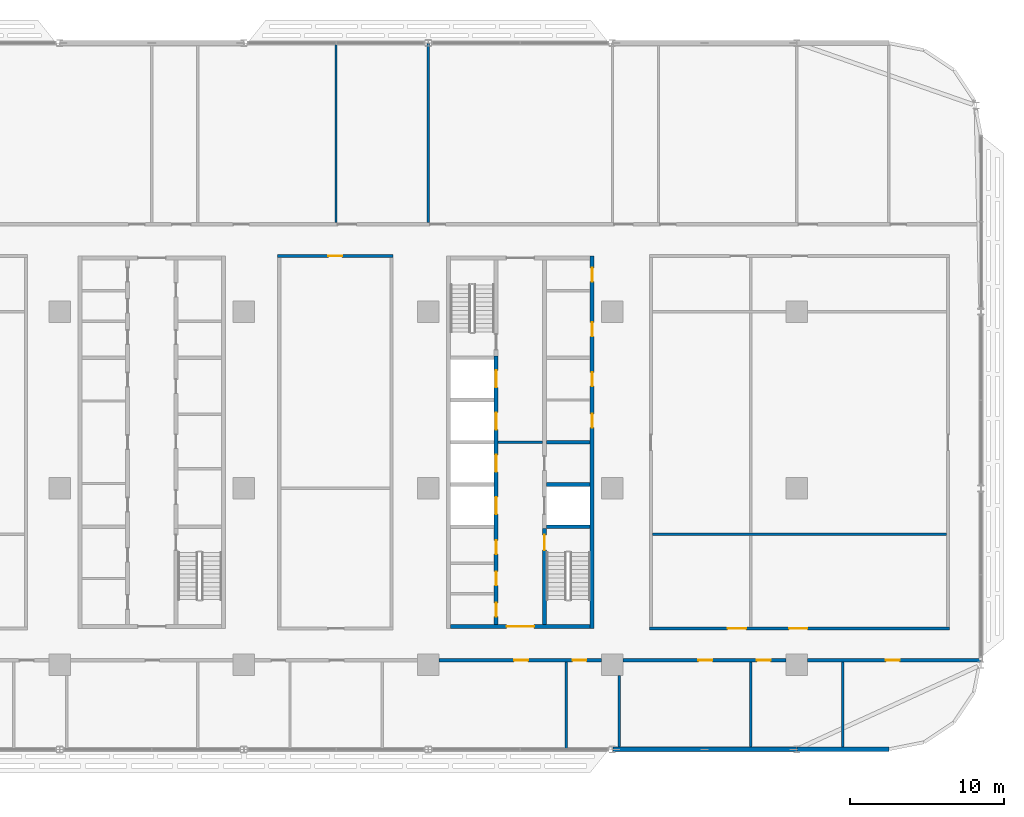
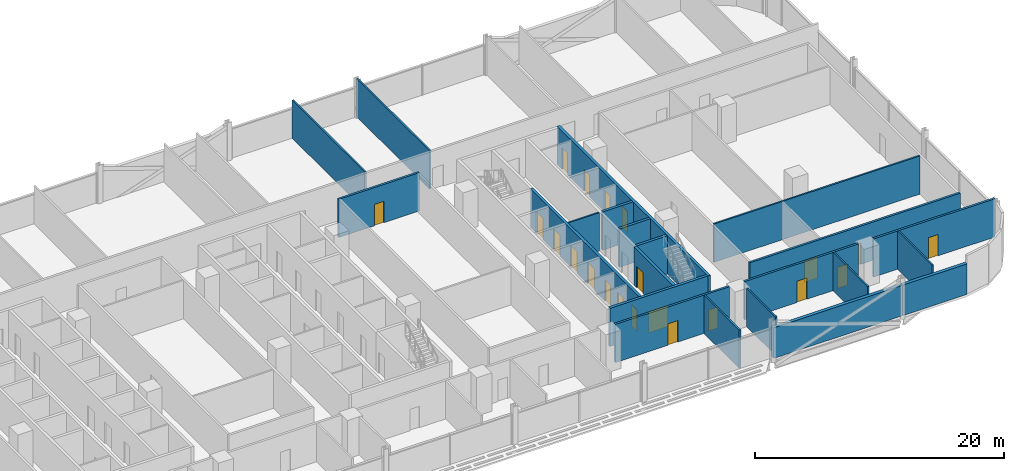
# One storey, part 16 of 29: 22 walls, 21 doors, 21 openings.
"""IFC4 building model written with IfcOpenShell, lengths in metres."""

from ifc_helpers import new_model, si_unit, direction, frame, frame_2d, origin, place, context, subcontext, project, spatial, rectangle, extrude, material, layer, layer_set, type_object, element, fill, save


model = new_model("IFC4")

# Units and contexts
model_context = context("Model", 3, precision=1e-05, world=origin(), true_north=direction((0.0, 1.0)))
body_context = subcontext(model_context, "Body", "Model", "MODEL_VIEW")
ifc_project = project(units=[si_unit("LENGTHUNIT", "METRE"), si_unit("AREAUNIT", "SQUARE_METRE"), si_unit("VOLUMEUNIT", "CUBIC_METRE"), si_unit("PLANEANGLEUNIT", "RADIAN"), si_unit("MASSUNIT", "GRAM", prefix="KILO")], contexts=[model_context])

# Site, building, storey
site_placement = place(None, origin())
site = spatial("IfcSite", under=ifc_project, at=site_placement, CompositionType="ELEMENT")
building_placement = place(site_placement, origin())
building = spatial("IfcBuilding", under=site, at=building_placement, Name="Mahtab Terrace Research Tower", CompositionType="ELEMENT")
storey_placement = place(building_placement, frame((0.0, 0.0, 88.89990234375)))
storey = spatial("IfcBuildingStorey", under=building, at=storey_placement, Name="L20", CompositionType="ELEMENT", Elevation=88.89990234375)

# Wall
ifc_material_1 = material(Name="Gypsum board partition")
ifc_layer_1 = layer(ifc_material_1, 0.14990234375)
ifc_layer_set_1 = layer_set([ifc_layer_1], Name="Core partition 150")
wall_type_1 = type_object("IfcWallType", Name="Core partition 150", PredefinedType="PARTITIONING", material=ifc_layer_set_1)
wall_1_placement = place(storey_placement, frame((22.550048828125, 3.0, 0.0), z_axis=(0.0, 0.0, 1.0), x_axis=(1.0, 0.0, 0.0)))
element("IfcWall", 1, at=wall_1_placement, inside=storey, type_object=wall_type_1, Name="Core wall C ffl", PredefinedType="PARTITIONING", context=body_context, shape_type="SweptSolid", body=[
    extrude(rectangle(XDim=2.89990234375, YDim=0.14990234375, at=frame_2d((1.449951171875, 0.0))), origin(), (0.0, 0.0, 1.0), 3.760009765625),
])

# Wall, openings, doors
ifc_material_2 = material(Name="Concrete C70/85", Category="concrete")
ifc_layer_2 = layer(ifc_material_2, 0.25)
ifc_layer_set_2 = layer_set([ifc_layer_2], Name="Core wall 250")
wall_type_2 = type_object("IfcWallType", Name="Core wall 250", PredefinedType="SOLIDWALL", material=ifc_layer_set_2)
wall_2_placement = place(storey_placement, frame((28.675048828125, -9.125, 0.0), z_axis=(0.0, 0.0, 1.0), x_axis=(0.0, 1.0, 0.0)))
wall_2 = element("IfcWall", 2, at=wall_2_placement, inside=storey, type_object=wall_type_2, Name="Core wall C outerE", PredefinedType="SOLIDWALL", context=body_context, shape_type="SweptSolid", body=[
    extrude(rectangle(XDim=24.25, YDim=0.25, at=frame_2d((12.125, 0.0))), origin(), (0.0, 0.0, 1.0), 3.760009765625),
])
opening_1_placement = place(wall_2_placement, frame((13.074951171875, 0.0, 0.0)))
opening_1 = element("IfcOpeningElement", 3, at=opening_1_placement, cuts=wall_2, Name="Opening C-R2", PredefinedType="OPENING", context=body_context, shape_type="SweptSolid", body=[
    extrude(rectangle(XDim=0.89990234375, YDim=2.10009765625, at=frame_2d((0.449951171875, 1.050048828125))), frame((0.0, 0.135009765625, 0.0), z_axis=(0.0, -1.0, 0.0), x_axis=(1.0, 0.0, 0.0)), (0.0, 0.0, 1.0), 0.27001953125),
])
opening_2_placement = place(wall_2_placement, frame((15.77490234375, 0.0, 0.0)))
opening_2 = element("IfcOpeningElement", 4, at=opening_2_placement, cuts=wall_2, Name="Opening C-R3", PredefinedType="OPENING", context=body_context, shape_type="SweptSolid", body=[
    extrude(rectangle(XDim=0.89990234375, YDim=2.10009765625, at=frame_2d((0.449951171875, 1.050048828125))), frame((0.0, 0.135009765625, 0.0), z_axis=(0.0, -1.0, 0.0), x_axis=(1.0, 0.0, 0.0)), (0.0, 0.0, 1.0), 0.27001953125),
])
opening_3_placement = place(wall_2_placement, frame((19.02490234375, 0.0, 0.0)))
opening_3 = element("IfcOpeningElement", 5, at=opening_3_placement, cuts=wall_2, Name="Opening C-R7", PredefinedType="OPENING", context=body_context, shape_type="SweptSolid", body=[
    extrude(rectangle(XDim=0.89990234375, YDim=2.10009765625, at=frame_2d((0.449951171875, 1.050048828125))), frame((0.0, 0.135009765625, 0.0), z_axis=(0.0, -1.0, 0.0), x_axis=(1.0, 0.0, 0.0)), (0.0, 0.0, 1.0), 0.27001953125),
])
opening_4_placement = place(wall_2_placement, frame((22.58740234375, 0.0, 0.0)))
opening_4 = element("IfcOpeningElement", 6, at=opening_4_placement, cuts=wall_2, Name="Opening C-R8", PredefinedType="OPENING", context=body_context, shape_type="SweptSolid", body=[
    extrude(rectangle(XDim=0.89990234375, YDim=2.10009765625, at=frame_2d((0.449951171875, 1.050048828125))), frame((0.0, 0.135009765625, 0.0), z_axis=(0.0, -1.0, 0.0), x_axis=(1.0, 0.0, 0.0)), (0.0, 0.0, 1.0), 0.27001953125),
])
ifc_material_3 = material(Name="Steel fire door", Category="steel")
door_type_1 = type_object("IfcDoorType", Name="Room door 900x2100 1 HR", OperationType="NOTDEFINED", PredefinedType="DOOR", material=ifc_material_3)
door_1_placement = place(opening_1_placement, origin())
door_1 = element("IfcDoor", 7, at=door_1_placement, inside=storey, type_object=door_type_1, Name="Document store door", OperationType="SINGLE_SWING_RIGHT", OverallHeight=2.10009765625, OverallWidth=0.89990234375, PredefinedType="DOOR", context=body_context, shape_type="SweptSolid", body=[
    extrude(rectangle(XDim=0.89990234375, YDim=2.10009765625, at=frame_2d((0.449951171875, 1.050048828125))), frame((0.0, 0.02490234375, 0.0), z_axis=(0.0, -1.0, 0.0), x_axis=(1.0, 0.0, 0.0)), (0.0, 0.0, 1.0), 0.050048828125),
])
fill(opening_1, door_1)
door_2_placement = place(opening_2_placement, origin())
door_2 = element("IfcDoor", 8, at=door_2_placement, inside=storey, type_object=door_type_1, Name="IT equipment room door", OperationType="SINGLE_SWING_LEFT", OverallHeight=2.10009765625, OverallWidth=0.89990234375, PredefinedType="DOOR", context=body_context, shape_type="SweptSolid", body=[
    extrude(rectangle(XDim=0.89990234375, YDim=2.10009765625, at=frame_2d((0.449951171875, 1.050048828125))), frame((0.0, 0.02490234375, 0.0), z_axis=(0.0, -1.0, 0.0), x_axis=(1.0, 0.0, 0.0)), (0.0, 0.0, 1.0), 0.050048828125),
])
fill(opening_2, door_2)
door_3_placement = place(opening_3_placement, origin())
door_3 = element("IfcDoor", 9, at=door_3_placement, inside=storey, type_object=door_type_1, Name="IT equipment room door", OperationType="SINGLE_SWING_LEFT", OverallHeight=2.10009765625, OverallWidth=0.89990234375, PredefinedType="DOOR", context=body_context, shape_type="SweptSolid", body=[
    extrude(rectangle(XDim=0.89990234375, YDim=2.10009765625, at=frame_2d((0.449951171875, 1.050048828125))), frame((0.0, 0.02490234375, 0.0), z_axis=(0.0, -1.0, 0.0), x_axis=(1.0, 0.0, 0.0)), (0.0, 0.0, 1.0), 0.050048828125),
])
fill(opening_3, door_3)
door_4_placement = place(opening_4_placement, origin())
door_4 = element("IfcDoor", 10, at=door_4_placement, inside=storey, type_object=door_type_1, Name="Electrical riser room door", OperationType="SINGLE_SWING_RIGHT", OverallHeight=2.10009765625, OverallWidth=0.89990234375, PredefinedType="DOOR", context=body_context, shape_type="SweptSolid", body=[
    extrude(rectangle(XDim=0.89990234375, YDim=2.10009765625, at=frame_2d((0.449951171875, 1.050048828125))), frame((0.0, 0.02490234375, 0.0), z_axis=(0.0, -1.0, 0.0), x_axis=(1.0, 0.0, 0.0)), (0.0, 0.0, 1.0), 0.050048828125),
])
fill(opening_4, door_4)

# Wall, opening, door
wall_3_placement = place(storey_placement, frame((28.550048828125, -9.0, 0.0), z_axis=(0.0, 0.0, 1.0), x_axis=(-1.0, 0.0, 0.0)))
wall_3 = element("IfcWall", 11, at=wall_3_placement, inside=storey, type_object=wall_type_2, Name="Core wall C endS", PredefinedType="SOLIDWALL", context=body_context, shape_type="SweptSolid", body=[
    extrude(rectangle(XDim=9.10009765625, YDim=0.25, at=frame_2d((4.550048828125, 0.0))), origin(), (0.0, 0.0, 1.0), 3.760009765625),
])
opening_5_placement = place(wall_3_placement, frame((3.64990234375, 0.0, 0.0)))
opening_5 = element("IfcOpeningElement", 12, at=opening_5_placement, cuts=wall_3, Name="Opening C-S1", PredefinedType="OPENING", context=body_context, shape_type="SweptSolid", body=[
    extrude(rectangle(XDim=1.800048828125, YDim=2.10009765625, at=frame_2d((0.89990234375, 1.050048828125))), frame((0.0, 0.135009765625, 0.0), z_axis=(0.0, -1.0, 0.0), x_axis=(1.0, 0.0, 0.0)), (0.0, 0.0, 1.0), 0.27001953125),
])
door_type_2 = type_object("IfcDoorType", Name="Lobby double door 1800x2100 1 HR", OperationType="DOUBLE_DOOR_SINGLE_SWING", PredefinedType="DOOR", material=ifc_material_3)
door_5_placement = place(opening_5_placement, origin())
door_5 = element("IfcDoor", 13, at=door_5_placement, inside=storey, type_object=door_type_2, Name="Core entrance door C S", OperationType="DOUBLE_DOOR_SINGLE_SWING", OverallHeight=2.10009765625, OverallWidth=1.800048828125, PredefinedType="DOOR", context=body_context, shape_type="SweptSolid", body=[
    extrude(rectangle(XDim=1.800048828125, YDim=2.10009765625, at=frame_2d((0.89990234375, 1.050048828125))), frame((0.0, 0.02490234375, 0.0), z_axis=(0.0, -1.0, 0.0), x_axis=(1.0, 0.0, 0.0)), (0.0, 0.0, 1.0), 0.050048828125),
])
fill(opening_5, door_5)

# Wall, openings, doors
wall_4_placement = place(storey_placement, frame((22.425048828125, -8.875, 0.0), z_axis=(0.0, 0.0, 1.0), x_axis=(0.0, 1.0, 0.0)))
wall_4 = element("IfcWall", 14, at=wall_4_placement, inside=storey, type_object=wall_type_2, Name="Core wall C innerWSL", PredefinedType="SOLIDWALL", context=body_context, shape_type="SweptSolid", body=[
    extrude(rectangle(XDim=17.5, YDim=0.25, at=frame_2d((8.75, 0.0))), origin(), (0.0, 0.0, 1.0), 3.760009765625),
])
opening_6_placement = place(wall_4_placement, frame((7.199951171875, 0.0, 0.0)))
opening_6 = element("IfcOpeningElement", 15, at=opening_6_placement, cuts=wall_4, Name="Opening LD17-L20", PredefinedType="OPENING", context=body_context, shape_type="SweptSolid", body=[
    extrude(rectangle(XDim=1.10009765625, YDim=2.10009765625, at=frame_2d((0.550048828125, 1.050048828125))), frame((0.0, 0.135009765625, 0.0), z_axis=(0.0, -1.0, 0.0), x_axis=(1.0, 0.0, 0.0)), (0.0, 0.0, 1.0), 0.27001953125),
])
opening_7_placement = place(wall_4_placement, frame((9.949951171875, 0.0, 0.0)))
opening_7 = element("IfcOpeningElement", 16, at=opening_7_placement, cuts=wall_4, Name="Opening LD18-L20", PredefinedType="OPENING", context=body_context, shape_type="SweptSolid", body=[
    extrude(rectangle(XDim=1.10009765625, YDim=2.10009765625, at=frame_2d((0.550048828125, 1.050048828125))), frame((0.0, 0.135009765625, 0.0), z_axis=(0.0, -1.0, 0.0), x_axis=(1.0, 0.0, 0.0)), (0.0, 0.0, 1.0), 0.27001953125),
])
opening_8_placement = place(wall_4_placement, frame((12.699951171875, 0.0, 0.0)))
opening_8 = element("IfcOpeningElement", 17, at=opening_8_placement, cuts=wall_4, Name="Opening LD19-L20", PredefinedType="OPENING", context=body_context, shape_type="SweptSolid", body=[
    extrude(rectangle(XDim=1.10009765625, YDim=2.10009765625, at=frame_2d((0.550048828125, 1.050048828125))), frame((0.0, 0.135009765625, 0.0), z_axis=(0.0, -1.0, 0.0), x_axis=(1.0, 0.0, 0.0)), (0.0, 0.0, 1.0), 0.27001953125),
])
opening_9_placement = place(wall_4_placement, frame((15.449951171875, 0.0, 0.0)))
opening_9 = element("IfcOpeningElement", 18, at=opening_9_placement, cuts=wall_4, Name="Opening LD20-L20", PredefinedType="OPENING", context=body_context, shape_type="SweptSolid", body=[
    extrude(rectangle(XDim=1.10009765625, YDim=2.10009765625, at=frame_2d((0.550048828125, 1.050048828125))), frame((0.0, 0.135009765625, 0.0), z_axis=(0.0, -1.0, 0.0), x_axis=(1.0, 0.0, 0.0)), (0.0, 0.0, 1.0), 0.27001953125),
])
opening_10_placement = place(wall_4_placement, frame((0.512451171875, 0.0, 0.0)))
opening_10 = element("IfcOpeningElement", 19, at=opening_10_placement, cuts=wall_4, Name="Opening C-R4", PredefinedType="OPENING", context=body_context, shape_type="SweptSolid", body=[
    extrude(rectangle(XDim=0.89990234375, YDim=2.10009765625, at=frame_2d((0.449951171875, 1.050048828125))), frame((0.0, 0.135009765625, 0.0), z_axis=(0.0, -1.0, 0.0), x_axis=(1.0, 0.0, 0.0)), (0.0, 0.0, 1.0), 0.27001953125),
])
opening_11_placement = place(wall_4_placement, frame((2.550048828125, 0.0, 0.0)))
opening_11 = element("IfcOpeningElement", 20, at=opening_11_placement, cuts=wall_4, Name="Opening C-R5", PredefinedType="OPENING", context=body_context, shape_type="SweptSolid", body=[
    extrude(rectangle(XDim=0.89990234375, YDim=2.10009765625, at=frame_2d((0.449951171875, 1.050048828125))), frame((0.0, 0.135009765625, 0.0), z_axis=(0.0, -1.0, 0.0), x_axis=(1.0, 0.0, 0.0)), (0.0, 0.0, 1.0), 0.27001953125),
])
opening_12_placement = place(wall_4_placement, frame((4.58740234375, 0.0, 0.0)))
opening_12 = element("IfcOpeningElement", 21, at=opening_12_placement, cuts=wall_4, Name="Opening C-R6", PredefinedType="OPENING", context=body_context, shape_type="SweptSolid", body=[
    extrude(rectangle(XDim=0.89990234375, YDim=2.10009765625, at=frame_2d((0.449951171875, 1.050048828125))), frame((0.0, 0.135009765625, 0.0), z_axis=(0.0, -1.0, 0.0), x_axis=(1.0, 0.0, 0.0)), (0.0, 0.0, 1.0), 0.27001953125),
])
ifc_material_4 = material(Name="Stainless steel AISI 304", Category="steel")
door_type_3 = type_object("IfcDoorType", Name="Landing door 1100x2100", OperationType="DOUBLE_DOOR_SLIDING", PredefinedType="DOOR", material=ifc_material_4)
door_6_placement = place(opening_6_placement, origin())
door_6 = element("IfcDoor", 22, at=door_6_placement, inside=storey, type_object=door_type_3, Name="Landing door SV1 L20", OperationType="DOUBLE_DOOR_SLIDING", OverallHeight=2.10009765625, OverallWidth=1.10009765625, PredefinedType="DOOR", context=body_context, shape_type="SweptSolid", body=[
    extrude(rectangle(XDim=1.10009765625, YDim=2.10009765625, at=frame_2d((0.550048828125, 1.050048828125))), frame((0.0, 0.02490234375, 0.0), z_axis=(0.0, -1.0, 0.0), x_axis=(1.0, 0.0, 0.0)), (0.0, 0.0, 1.0), 0.050048828125),
])
fill(opening_6, door_6)
door_7_placement = place(opening_7_placement, origin())
door_7 = element("IfcDoor", 23, at=door_7_placement, inside=storey, type_object=door_type_3, Name="Landing door SV2 L20", OperationType="DOUBLE_DOOR_SLIDING", OverallHeight=2.10009765625, OverallWidth=1.10009765625, PredefinedType="DOOR", context=body_context, shape_type="SweptSolid", body=[
    extrude(rectangle(XDim=1.10009765625, YDim=2.10009765625, at=frame_2d((0.550048828125, 1.050048828125))), frame((0.0, 0.02490234375, 0.0), z_axis=(0.0, -1.0, 0.0), x_axis=(1.0, 0.0, 0.0)), (0.0, 0.0, 1.0), 0.050048828125),
])
fill(opening_7, door_7)
door_8_placement = place(opening_8_placement, origin())
door_8 = element("IfcDoor", 24, at=door_8_placement, inside=storey, type_object=door_type_3, Name="Landing door FF1 L20", OperationType="DOUBLE_DOOR_SLIDING", OverallHeight=2.10009765625, OverallWidth=1.10009765625, PredefinedType="DOOR", context=body_context, shape_type="SweptSolid", body=[
    extrude(rectangle(XDim=1.10009765625, YDim=2.10009765625, at=frame_2d((0.550048828125, 1.050048828125))), frame((0.0, 0.02490234375, 0.0), z_axis=(0.0, -1.0, 0.0), x_axis=(1.0, 0.0, 0.0)), (0.0, 0.0, 1.0), 0.050048828125),
])
fill(opening_8, door_8)
door_9_placement = place(opening_9_placement, origin())
door_9 = element("IfcDoor", 25, at=door_9_placement, inside=storey, type_object=door_type_3, Name="Landing door FF2 L20", OperationType="DOUBLE_DOOR_SLIDING", OverallHeight=2.10009765625, OverallWidth=1.10009765625, PredefinedType="DOOR", context=body_context, shape_type="SweptSolid", body=[
    extrude(rectangle(XDim=1.10009765625, YDim=2.10009765625, at=frame_2d((0.550048828125, 1.050048828125))), frame((0.0, 0.02490234375, 0.0), z_axis=(0.0, -1.0, 0.0), x_axis=(1.0, 0.0, 0.0)), (0.0, 0.0, 1.0), 0.050048828125),
])
fill(opening_9, door_9)
door_10_placement = place(opening_10_placement, origin())
door_10 = element("IfcDoor", 26, at=door_10_placement, inside=storey, type_object=door_type_1, Name="Male WC door", OperationType="SINGLE_SWING_RIGHT", OverallHeight=2.10009765625, OverallWidth=0.89990234375, PredefinedType="DOOR", context=body_context, shape_type="SweptSolid", body=[
    extrude(rectangle(XDim=0.89990234375, YDim=2.10009765625, at=frame_2d((0.449951171875, 1.050048828125))), frame((0.0, 0.02490234375, 0.0), z_axis=(0.0, -1.0, 0.0), x_axis=(1.0, 0.0, 0.0)), (0.0, 0.0, 1.0), 0.050048828125),
])
fill(opening_10, door_10)
door_11_placement = place(opening_11_placement, origin())
door_11 = element("IfcDoor", 27, at=door_11_placement, inside=storey, type_object=door_type_1, Name="Female WC door", OperationType="SINGLE_SWING_LEFT", OverallHeight=2.10009765625, OverallWidth=0.89990234375, PredefinedType="DOOR", context=body_context, shape_type="SweptSolid", body=[
    extrude(rectangle(XDim=0.89990234375, YDim=2.10009765625, at=frame_2d((0.449951171875, 1.050048828125))), frame((0.0, 0.02490234375, 0.0), z_axis=(0.0, -1.0, 0.0), x_axis=(1.0, 0.0, 0.0)), (0.0, 0.0, 1.0), 0.050048828125),
])
fill(opening_11, door_11)
door_12_placement = place(opening_12_placement, origin())
door_12 = element("IfcDoor", 28, at=door_12_placement, inside=storey, type_object=door_type_1, Name="Accessible WC door", OperationType="SINGLE_SWING_RIGHT", OverallHeight=2.10009765625, OverallWidth=0.89990234375, PredefinedType="DOOR", context=body_context, shape_type="SweptSolid", body=[
    extrude(rectangle(XDim=0.89990234375, YDim=2.10009765625, at=frame_2d((0.449951171875, 1.050048828125))), frame((0.0, 0.02490234375, 0.0), z_axis=(0.0, -1.0, 0.0), x_axis=(1.0, 0.0, 0.0)), (0.0, 0.0, 1.0), 0.050048828125),
])
fill(opening_12, door_12)

# Wall, opening, door
wall_5_placement = place(storey_placement, frame((25.574951171875, -8.875, 0.0), z_axis=(0.0, 0.0, 1.0), x_axis=(0.0, 1.0, 0.0)))
wall_5 = element("IfcWall", 29, at=wall_5_placement, inside=storey, type_object=wall_type_2, Name="Core wall C innerES", PredefinedType="SOLIDWALL", context=body_context, shape_type="SweptSolid", body=[
    extrude(rectangle(XDim=6.25, YDim=0.25, at=frame_2d((3.125, 0.0))), origin(), (0.0, 0.0, 1.0), 3.760009765625),
])
opening_13_placement = place(wall_5_placement, frame((4.85009765625, 0.0, 0.0)))
opening_13 = element("IfcOpeningElement", 30, at=opening_13_placement, cuts=wall_5, Name="Opening C-ST4", PredefinedType="OPENING", context=body_context, shape_type="SweptSolid", body=[
    extrude(rectangle(XDim=1.0, YDim=2.10009765625, at=frame_2d((0.5, 1.050048828125))), frame((0.0, 0.135009765625, 0.0), z_axis=(0.0, -1.0, 0.0), x_axis=(1.0, 0.0, 0.0)), (0.0, 0.0, 1.0), 0.27001953125),
])
door_type_4 = type_object("IfcDoorType", Name="Stair door 1000x2100 1.5 HR", OperationType="NOTDEFINED", PredefinedType="DOOR", material=ifc_material_3)
door_13_placement = place(opening_13_placement, origin())
door_13 = element("IfcDoor", 31, at=door_13_placement, inside=storey, type_object=door_type_4, Name="Stair door ST4 L20", OperationType="SINGLE_SWING_RIGHT", OverallHeight=2.10009765625, OverallWidth=1.0, PredefinedType="DOOR", context=body_context, shape_type="SweptSolid", body=[
    extrude(rectangle(XDim=1.0, YDim=2.10009765625, at=frame_2d((0.5, 1.050048828125))), frame((0.0, 0.02490234375, 0.0), z_axis=(0.0, -1.0, 0.0), x_axis=(1.0, 0.0, 0.0)), (0.0, 0.0, 1.0), 0.050048828125),
])
fill(opening_13, door_13)

# Walls
for number, where, z_axis, x_axis, name in (
    (32, (25.699951171875, -2.5, 0.0), (0.0, 0.0, 1.0), (1.0, 0.0, 0.0), "Core wall C divE0"),
    (33, (25.699951171875, 0.25, 0.0), (0.0, 0.0, 1.0), (1.0, 0.0, 0.0), "Core wall C divE1"),
    (34, (25.699951171875, 3.0, 0.0), (0.0, 0.0, 1.0), (1.0, 0.0, 0.0), "Core wall C divE2"),
):
    element("IfcWall", number, at=place(storey_placement, frame(where, z_axis=z_axis, x_axis=x_axis)), inside=storey, type_object=wall_type_2, Name=name, PredefinedType="SOLIDWALL", context=body_context, shape_type="SweptSolid", body=[
        extrude(rectangle(XDim=2.85009765625, YDim=0.25, at=frame_2d((1.425048828125, 0.0))), origin(), (0.0, 0.0, 1.0), 3.760009765625),
    ])
ifc_material_5 = material(Name="Black aluminium cladding panel", Category="aluminium")
ifc_layer_3 = layer(ifc_material_5, 0.300048828125)
ifc_layer_set_3 = layer_set([ifc_layer_3], Name="Opaque facade wall 300")
wall_type_3 = type_object("IfcWallType", Name="Opaque facade wall 300", PredefinedType="NOTDEFINED", material=ifc_layer_set_3)
wall_6_placement = place(storey_placement, frame((30.02099609375, -17.0, 0.0), z_axis=(0.0, 0.0, 1.0), x_axis=(1.0, 0.0, 0.0)))
element("IfcWall", 35, at=wall_6_placement, inside=storey, type_object=wall_type_3, Name="Opaque facade wall L20 S29", PredefinedType="NOTDEFINED", context=body_context, shape_type="SweptSolid", body=[
    extrude(rectangle(XDim=11.9580078125, YDim=0.300048828125, at=frame_2d((5.97900390625, 0.0))), origin(), (0.0, 0.0, 1.0), 3.003173828125),
])
wall_7_placement = place(storey_placement, frame((42.02099609375, -17.0, 0.0), z_axis=(0.0, 0.0, 1.0), x_axis=(1.0, 0.0, 0.0)))
element("IfcWall", 36, at=wall_7_placement, inside=storey, type_object=wall_type_3, Name="Opaque facade wall L20 S30", PredefinedType="NOTDEFINED", context=body_context, shape_type="SweptSolid", body=[
    extrude(rectangle(XDim=5.97900390625, YDim=0.300048828125, at=frame_2d((2.989501953125, 0.0))), origin(), (0.0, 0.0, 1.0), 3.003173828125),
])

# Wall, openings, doors
ifc_material_6 = material(Name="Gypsum board corridor wall on steel studs", Category="steel")
ifc_layer_4 = layer(ifc_material_6, 0.199951171875)
ifc_layer_set_4 = layer_set([ifc_layer_4], Name="WALL CORRIDOR 200")
wall_type_4 = type_object("IfcWallType", Name="WALL CORRIDOR 200", PredefinedType="PARTITIONING", material=ifc_layer_set_4)
wall_8_placement = place(storey_placement, frame((18.699951171875, -11.199951171875, 0.0), z_axis=(0.0, 0.0, 1.0), x_axis=(1.0, 0.0, 0.0)))
wall_8 = element("IfcWall", 37, at=wall_8_placement, inside=storey, type_object=wall_type_4, Name="L20-W006", PredefinedType="PARTITIONING", context=body_context, shape_type="SweptSolid", body=[
    extrude(rectangle(XDim=10.60009765625, YDim=0.199951171875, at=frame_2d((5.300048828125, 0.0))), origin(), (0.0, 0.0, 1.0), 3.760009765625),
])
opening_14_placement = place(wall_8_placement, frame((4.89990234375, 0.0, 0.0)))
opening_14 = element("IfcOpeningElement", 38, at=opening_14_placement, cuts=wall_8, Name="Opening L20-109", PredefinedType="OPENING", context=body_context, shape_type="SweptSolid", body=[
    extrude(rectangle(XDim=0.89990234375, YDim=2.10009765625, at=frame_2d((0.449951171875, 1.050048828125))), frame((0.0, 0.10986328125, 0.0), z_axis=(0.0, -1.0, 0.0), x_axis=(1.0, 0.0, 0.0)), (0.0, 0.0, 1.0), 0.219970703125),
])
opening_15_placement = place(wall_8_placement, frame((8.699951171875, 0.0, 0.0)))
opening_15 = element("IfcOpeningElement", 39, at=opening_15_placement, cuts=wall_8, Name="Opening L20-110", PredefinedType="OPENING", context=body_context, shape_type="SweptSolid", body=[
    extrude(rectangle(XDim=0.89990234375, YDim=2.10009765625, at=frame_2d((0.449951171875, 1.050048828125))), frame((0.0, 0.10986328125, 0.0), z_axis=(0.0, -1.0, 0.0), x_axis=(1.0, 0.0, 0.0)), (0.0, 0.0, 1.0), 0.219970703125),
])
ifc_material_7 = material(Name="Timber door leaf in steel frame", Category="steel")
door_type_5 = type_object("IfcDoorType", Name="DOOR 0900X2100 FD30S", OperationType="SINGLE_SWING_LEFT", PredefinedType="DOOR", material=ifc_material_7)
door_14_placement = place(opening_14_placement, origin())
door_14 = element("IfcDoor", 40, at=door_14_placement, inside=storey, type_object=door_type_5, Name="Door L20-109", OperationType="SINGLE_SWING_LEFT", OverallHeight=2.10009765625, OverallWidth=0.89990234375, PredefinedType="DOOR", context=body_context, shape_type="SweptSolid", body=[
    extrude(rectangle(XDim=0.89990234375, YDim=2.10009765625, at=frame_2d((0.449951171875, 1.050048828125))), frame((0.0, 0.02490234375, 0.0), z_axis=(0.0, -1.0, 0.0), x_axis=(1.0, 0.0, 0.0)), (0.0, 0.0, 1.0), 0.050048828125),
])
fill(opening_14, door_14)
door_15_placement = place(opening_15_placement, origin())
door_15 = element("IfcDoor", 41, at=door_15_placement, inside=storey, type_object=door_type_5, Name="Door L20-110", OperationType="SINGLE_SWING_LEFT", OverallHeight=2.10009765625, OverallWidth=0.89990234375, PredefinedType="DOOR", context=body_context, shape_type="SweptSolid", body=[
    extrude(rectangle(XDim=0.89990234375, YDim=2.10009765625, at=frame_2d((0.449951171875, 1.050048828125))), frame((0.0, 0.02490234375, 0.0), z_axis=(0.0, -1.0, 0.0), x_axis=(1.0, 0.0, 0.0)), (0.0, 0.0, 1.0), 0.050048828125),
])
fill(opening_15, door_15)

wall_9_placement = place(storey_placement, frame((30.699951171875, -11.199951171875, 0.0), z_axis=(0.0, 0.0, 1.0), x_axis=(1.0, 0.0, 0.0)))
wall_9 = element("IfcWall", 42, at=wall_9_placement, inside=storey, type_object=wall_type_4, Name="L20-W007", PredefinedType="PARTITIONING", context=body_context, shape_type="SweptSolid", body=[
    extrude(rectangle(XDim=10.60009765625, YDim=0.199951171875, at=frame_2d((5.300048828125, 0.0))), origin(), (0.0, 0.0, 1.0), 3.760009765625),
])
opening_16_placement = place(wall_9_placement, frame((4.89990234375, 0.0, 0.0)))
opening_16 = element("IfcOpeningElement", 43, at=opening_16_placement, cuts=wall_9, Name="Opening L20-111", PredefinedType="OPENING", context=body_context, shape_type="SweptSolid", body=[
    extrude(rectangle(XDim=0.89990234375, YDim=2.10009765625, at=frame_2d((0.449951171875, 1.050048828125))), frame((0.0, 0.10986328125, 0.0), z_axis=(0.0, -1.0, 0.0), x_axis=(1.0, 0.0, 0.0)), (0.0, 0.0, 1.0), 0.219970703125),
])
opening_17_placement = place(wall_9_placement, frame((8.699951171875, 0.0, 0.0)))
opening_17 = element("IfcOpeningElement", 44, at=opening_17_placement, cuts=wall_9, Name="Opening L20-112", PredefinedType="OPENING", context=body_context, shape_type="SweptSolid", body=[
    extrude(rectangle(XDim=0.89990234375, YDim=2.10009765625, at=frame_2d((0.449951171875, 1.050048828125))), frame((0.0, 0.10986328125, 0.0), z_axis=(0.0, -1.0, 0.0), x_axis=(1.0, 0.0, 0.0)), (0.0, 0.0, 1.0), 0.219970703125),
])
door_16_placement = place(opening_16_placement, origin())
door_16 = element("IfcDoor", 45, at=door_16_placement, inside=storey, type_object=door_type_5, Name="Door L20-111", OperationType="SINGLE_SWING_LEFT", OverallHeight=2.10009765625, OverallWidth=0.89990234375, PredefinedType="DOOR", context=body_context, shape_type="SweptSolid", body=[
    extrude(rectangle(XDim=0.89990234375, YDim=2.10009765625, at=frame_2d((0.449951171875, 1.050048828125))), frame((0.0, 0.02490234375, 0.0), z_axis=(0.0, -1.0, 0.0), x_axis=(1.0, 0.0, 0.0)), (0.0, 0.0, 1.0), 0.050048828125),
])
fill(opening_16, door_16)
door_17_placement = place(opening_17_placement, origin())
door_17 = element("IfcDoor", 46, at=door_17_placement, inside=storey, type_object=door_type_5, Name="Door L20-112", OperationType="SINGLE_SWING_LEFT", OverallHeight=2.10009765625, OverallWidth=0.89990234375, PredefinedType="DOOR", context=body_context, shape_type="SweptSolid", body=[
    extrude(rectangle(XDim=0.89990234375, YDim=2.10009765625, at=frame_2d((0.449951171875, 1.050048828125))), frame((0.0, 0.02490234375, 0.0), z_axis=(0.0, -1.0, 0.0), x_axis=(1.0, 0.0, 0.0)), (0.0, 0.0, 1.0), 0.050048828125),
])
fill(opening_17, door_17)

# Wall, opening, door
wall_10_placement = place(storey_placement, frame((42.699951171875, -11.199951171875, 0.0), z_axis=(0.0, 0.0, 1.0), x_axis=(1.0, 0.0, 0.0)))
wall_10 = element("IfcWall", 47, at=wall_10_placement, inside=storey, type_object=wall_type_4, Name="L20-W008", PredefinedType="PARTITIONING", context=body_context, shape_type="SweptSolid", body=[
    extrude(rectangle(XDim=11.275146484375, YDim=0.199951171875, at=frame_2d((5.6376953125, 0.0))), origin(), (0.0, 0.0, 1.0), 3.760009765625),
])
opening_18_placement = place(wall_10_placement, frame((5.10009765625, 0.0, 0.0)))
opening_18 = element("IfcOpeningElement", 48, at=opening_18_placement, cuts=wall_10, Name="Opening L20-113", PredefinedType="OPENING", context=body_context, shape_type="SweptSolid", body=[
    extrude(rectangle(XDim=0.89990234375, YDim=2.10009765625, at=frame_2d((0.449951171875, 1.050048828125))), frame((0.0, 0.10986328125, 0.0), z_axis=(0.0, -1.0, 0.0), x_axis=(1.0, 0.0, 0.0)), (0.0, 0.0, 1.0), 0.219970703125),
])
door_18_placement = place(opening_18_placement, origin())
door_18 = element("IfcDoor", 49, at=door_18_placement, inside=storey, type_object=door_type_5, Name="Door L20-113", OperationType="SINGLE_SWING_RIGHT", OverallHeight=2.10009765625, OverallWidth=0.89990234375, PredefinedType="DOOR", context=body_context, shape_type="SweptSolid", body=[
    extrude(rectangle(XDim=0.89990234375, YDim=2.10009765625, at=frame_2d((0.449951171875, 1.050048828125))), frame((0.0, 0.02490234375, 0.0), z_axis=(0.0, -1.0, 0.0), x_axis=(1.0, 0.0, 0.0)), (0.0, 0.0, 1.0), 0.050048828125),
])
fill(opening_18, door_18)

# Wall, openings, doors
wall_11_placement = place(storey_placement, frame((32.39990234375, -9.125, 0.0), z_axis=(0.0, 0.0, 1.0), x_axis=(1.0, 0.0, 0.0)))
wall_11 = element("IfcWall", 50, at=wall_11_placement, inside=storey, type_object=wall_type_4, Name="L20-W012", PredefinedType="PARTITIONING", context=body_context, shape_type="SweptSolid", body=[
    extrude(rectangle(XDim=19.550048828125, YDim=0.199951171875, at=frame_2d((9.77490234375, 0.0))), origin(), (0.0, 0.0, 1.0), 3.760009765625),
])
opening_19_placement = place(wall_11_placement, frame((5.10009765625, 0.0, 0.0)))
opening_19 = element("IfcOpeningElement", 51, at=opening_19_placement, cuts=wall_11, Name="Opening L20-115", PredefinedType="OPENING", context=body_context, shape_type="SweptSolid", body=[
    extrude(rectangle(XDim=1.199951171875, YDim=2.10009765625, at=frame_2d((0.60009765625, 1.050048828125))), frame((0.0, 0.10986328125, 0.0), z_axis=(0.0, -1.0, 0.0), x_axis=(1.0, 0.0, 0.0)), (0.0, 0.0, 1.0), 0.219970703125),
])
opening_20_placement = place(wall_11_placement, frame((9.10009765625, 0.0, 0.0)))
opening_20 = element("IfcOpeningElement", 52, at=opening_20_placement, cuts=wall_11, Name="Opening L20-116", PredefinedType="OPENING", context=body_context, shape_type="SweptSolid", body=[
    extrude(rectangle(XDim=1.199951171875, YDim=2.10009765625, at=frame_2d((0.60009765625, 1.050048828125))), frame((0.0, 0.10986328125, 0.0), z_axis=(0.0, -1.0, 0.0), x_axis=(1.0, 0.0, 0.0)), (0.0, 0.0, 1.0), 0.219970703125),
])
door_type_6 = type_object("IfcDoorType", Name="DOOR 1200X2100 FD30S", OperationType="SINGLE_SWING_LEFT", PredefinedType="DOOR", material=ifc_material_7)
door_19_placement = place(opening_19_placement, origin())
door_19 = element("IfcDoor", 53, at=door_19_placement, inside=storey, type_object=door_type_6, Name="Door L20-115", OperationType="SINGLE_SWING_LEFT", OverallHeight=2.10009765625, OverallWidth=1.199951171875, PredefinedType="DOOR", context=body_context, shape_type="SweptSolid", body=[
    extrude(rectangle(XDim=1.199951171875, YDim=2.10009765625, at=frame_2d((0.60009765625, 1.050048828125))), frame((0.0, 0.02490234375, 0.0), z_axis=(0.0, -1.0, 0.0), x_axis=(1.0, 0.0, 0.0)), (0.0, 0.0, 1.0), 0.050048828125),
])
fill(opening_19, door_19)
door_20_placement = place(opening_20_placement, origin())
door_20 = element("IfcDoor", 54, at=door_20_placement, inside=storey, type_object=door_type_6, Name="Door L20-116", OperationType="SINGLE_SWING_LEFT", OverallHeight=2.10009765625, OverallWidth=1.199951171875, PredefinedType="DOOR", context=body_context, shape_type="SweptSolid", body=[
    extrude(rectangle(XDim=1.199951171875, YDim=2.10009765625, at=frame_2d((0.60009765625, 1.050048828125))), frame((0.0, 0.02490234375, 0.0), z_axis=(0.0, -1.0, 0.0), x_axis=(1.0, 0.0, 0.0)), (0.0, 0.0, 1.0), 0.050048828125),
])
fill(opening_20, door_20)

# Wall, opening, door
wall_12_placement = place(storey_placement, frame((8.199951171875, 15.125, 0.0), z_axis=(0.0, 0.0, 1.0), x_axis=(1.0, 0.0, 0.0)))
wall_12 = element("IfcWall", 55, at=wall_12_placement, inside=storey, type_object=wall_type_4, Name="L20-W022", PredefinedType="PARTITIONING", context=body_context, shape_type="SweptSolid", body=[
    extrude(rectangle(XDim=7.5, YDim=0.199951171875, at=frame_2d((3.75, 0.0))), origin(), (0.0, 0.0, 1.0), 3.760009765625),
])
opening_21_placement = place(wall_12_placement, frame((3.300048828125, 0.0, 0.0)))
opening_21 = element("IfcOpeningElement", 56, at=opening_21_placement, cuts=wall_12, Name="Opening L20-123", PredefinedType="OPENING", context=body_context, shape_type="SweptSolid", body=[
    extrude(rectangle(XDim=0.89990234375, YDim=2.10009765625, at=frame_2d((0.449951171875, 1.050048828125))), frame((0.0, 0.10986328125, 0.0), z_axis=(0.0, -1.0, 0.0), x_axis=(1.0, 0.0, 0.0)), (0.0, 0.0, 1.0), 0.219970703125),
])
door_21_placement = place(opening_21_placement, origin())
door_21 = element("IfcDoor", 57, at=door_21_placement, inside=storey, type_object=door_type_5, Name="Door L20-123", OperationType="SINGLE_SWING_LEFT", OverallHeight=2.10009765625, OverallWidth=0.89990234375, PredefinedType="DOOR", context=body_context, shape_type="SweptSolid", body=[
    extrude(rectangle(XDim=0.89990234375, YDim=2.10009765625, at=frame_2d((0.449951171875, 1.050048828125))), frame((0.0, 0.02490234375, 0.0), z_axis=(0.0, -1.0, 0.0), x_axis=(1.0, 0.0, 0.0)), (0.0, 0.0, 1.0), 0.050048828125),
])
fill(opening_21, door_21)

# Walls
ifc_material_8 = material(Name="Gypsum board partition on steel studs", Category="steel")
ifc_layer_5 = layer(ifc_material_8, 0.14990234375)
ifc_layer_set_5 = layer_set([ifc_layer_5], Name="WALL PARTITION 150")
wall_type_5 = type_object("IfcWallType", Name="WALL PARTITION 150", PredefinedType="PARTITIONING", material=ifc_layer_set_5)
wall_13_placement = place(storey_placement, frame((32.60009765625, -3.0, 0.0), z_axis=(0.0, 0.0, 1.0), x_axis=(1.0, 0.0, 0.0)))
element("IfcWall", 58, at=wall_13_placement, inside=storey, type_object=wall_type_5, Name="L20-W014", PredefinedType="PARTITIONING", context=body_context, shape_type="SweptSolid", body=[
    extrude(rectangle(XDim=19.14990234375, YDim=0.14990234375, at=frame_2d((9.574951171875, 0.0))), origin(), (0.0, 0.0, 1.0), 3.760009765625),
])
for number, where, z_axis, x_axis, name in (
    (59, (12.0, 17.300048828125, 0.0), (0.0, 0.0, 1.0), (0.0, 1.0, 0.0), "L20-W043"),
    (60, (18.0, 17.300048828125, 0.0), (0.0, 0.0, 1.0), (0.0, 1.0, 0.0), "L20-W046"),
):
    element("IfcWall", number, at=place(storey_placement, frame(where, z_axis=z_axis, x_axis=x_axis)), inside=storey, type_object=wall_type_5, Name=name, PredefinedType="PARTITIONING", context=body_context, shape_type="SweptSolid", body=[
        extrude(rectangle(XDim=11.675048828125, YDim=0.14990234375, at=frame_2d((5.83740234375, 0.0))), origin(), (0.0, 0.0, 1.0), 3.760009765625),
    ])
wall_14_placement = place(storey_placement, frame((27.0, -16.97509765625, 0.0), z_axis=(0.0, 0.0, 1.0), x_axis=(0.0, 1.0, 0.0)))
element("IfcWall", 61, at=wall_14_placement, inside=storey, type_object=wall_type_5, Name="L20-W047", PredefinedType="PARTITIONING", context=body_context, shape_type="SweptSolid", body=[
    extrude(rectangle(XDim=5.675048828125, YDim=0.14990234375, at=frame_2d((2.83740234375, 0.0))), origin(), (0.0, 0.0, 1.0), 3.760009765625),
])
wall_15_placement = place(storey_placement, frame((30.449951171875, -16.85009765625, 0.0), z_axis=(0.0, 0.0, 1.0), x_axis=(0.0, 1.0, 0.0)))
element("IfcWall", 62, at=wall_15_placement, inside=storey, type_object=wall_type_5, Name="L20-W049", PredefinedType="PARTITIONING", context=body_context, shape_type="SweptSolid", body=[
    extrude(rectangle(XDim=4.650146484375, YDim=0.14990234375, at=frame_2d((2.3251953125, 0.0))), origin(), (0.0, 0.0, 1.0), 3.760009765625),
])
for number, where, z_axis, x_axis, name in (
    (63, (39.0, -16.85009765625, 0.0), (0.0, 0.0, 1.0), (0.0, 1.0, 0.0), "L20-W052"),
    (64, (45.0, -16.85009765625, 0.0), (0.0, 0.0, 1.0), (0.0, 1.0, 0.0), "L20-W055"),
):
    element("IfcWall", number, at=place(storey_placement, frame(where, z_axis=z_axis, x_axis=x_axis)), inside=storey, type_object=wall_type_5, Name=name, PredefinedType="PARTITIONING", context=body_context, shape_type="SweptSolid", body=[
        extrude(rectangle(XDim=5.550048828125, YDim=0.14990234375, at=frame_2d((2.77490234375, 0.0))), origin(), (0.0, 0.0, 1.0), 3.760009765625),
    ])

save(model, "model.ifc")
